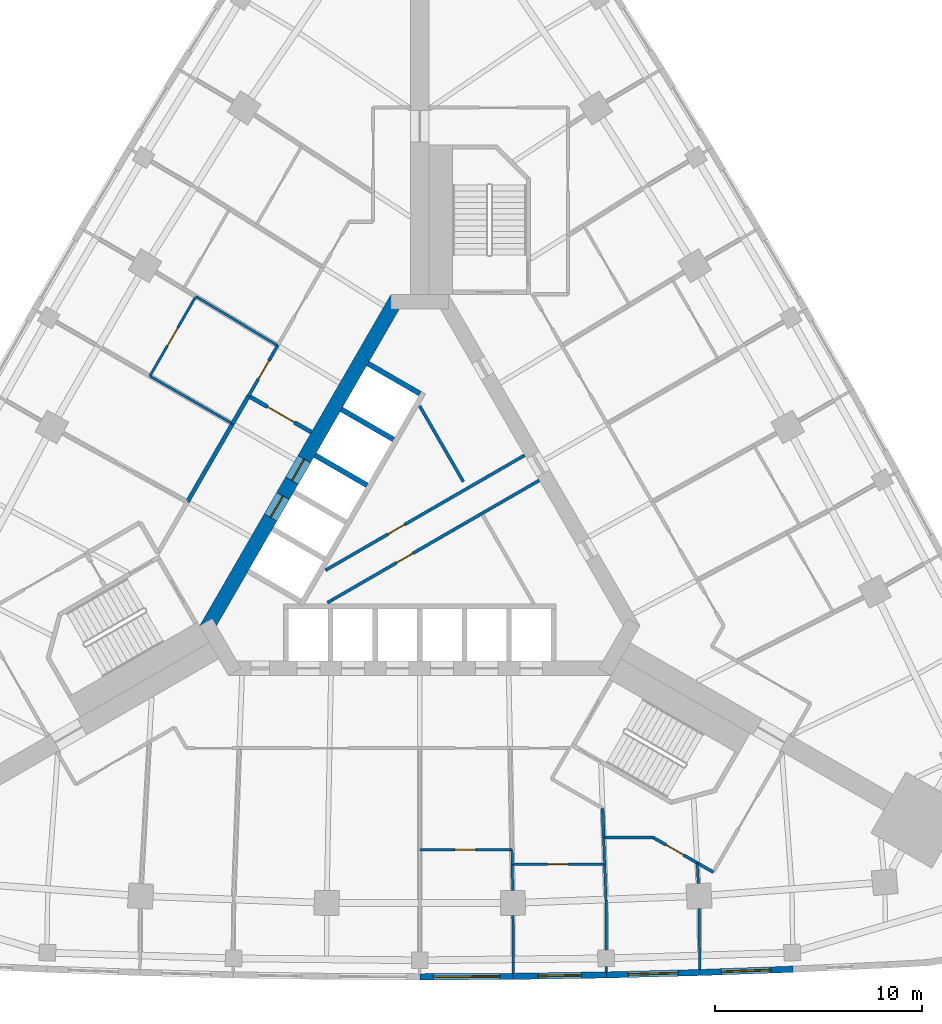
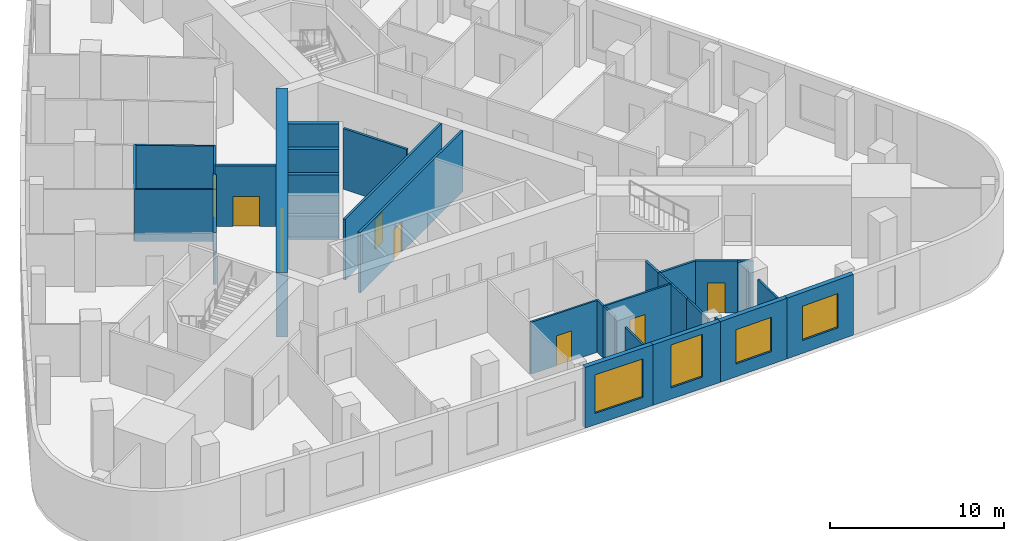
# One storey, part 6 of 11: 33 walls, 10 doors, 4 windows, 14 openings.
"""IFC4 building model written with IfcOpenShell, lengths in metres."""

from ifc_helpers import new_model, si_unit, direction, frame, frame_2d, origin, place, context, subcontext, project, spatial, rectangle, extrude, material, layer, layer_set, type_object, element, fill, save


model = new_model("IFC4")

# Units and contexts
model_context = context("Model", 3, precision=1e-05, world=origin(), true_north=direction((0.0, 1.0)))
body_context = subcontext(model_context, "Body", "Model", "MODEL_VIEW")
ifc_project = project(units=[si_unit("LENGTHUNIT", "METRE"), si_unit("AREAUNIT", "SQUARE_METRE"), si_unit("VOLUMEUNIT", "CUBIC_METRE"), si_unit("PLANEANGLEUNIT", "RADIAN"), si_unit("MASSUNIT", "GRAM", prefix="KILO")], contexts=[model_context])

# Site, building, storey
site_placement = place(None, origin())
site = spatial("IfcSite", under=ifc_project, at=site_placement, CompositionType="ELEMENT")
building_placement = place(site_placement, origin())
building = spatial("IfcBuilding", under=site, at=building_placement, Name="Noor Cloister Tower", CompositionType="ELEMENT")
storey_placement = place(building_placement, frame((0.0, 0.0, 6.0)))
storey = spatial("IfcBuildingStorey", under=building, at=storey_placement, Name="L01", CompositionType="ELEMENT", Elevation=6.0)

# Wall, opening, door
ifc_material_1 = material(Name="Concrete C30/37", Category="concrete")
ifc_layer_1 = layer(ifc_material_1, 0.14990234375)
ifc_layer_set_1 = layer_set([ifc_layer_1], Name="Core partition 150 C30/37")
wall_type_1 = type_object("IfcWallType", Name="Core partition 150 C30/37", PredefinedType="PARTITIONING", material=ifc_layer_set_1)
wall_1_placement = place(storey_placement, frame((-4.547607421875, -1.8505859375, 0.0), z_axis=(0.0, 0.0, 1.0), x_axis=(0.866023939251, 0.500002536638, 0.0)))
wall_1 = element("IfcWall", 1, at=wall_1_placement, inside=storey, type_object=wall_type_1, Name="Core room partition L01 1", PredefinedType="PARTITIONING", context=body_context, shape_type="SweptSolid", body=[
    extrude(rectangle(XDim=11.091796875, YDim=0.14990234375, at=frame_2d((5.5458984375, 0.0))), origin(), (0.0, 0.0, 1.0), 4.25),
])
opening_1_placement = place(wall_1_placement, frame((3.4970703125, 0.0, 0.0)))
opening_1 = element("IfcOpeningElement", 2, at=opening_1_placement, cuts=wall_1, Name="Opening L01-906", PredefinedType="OPENING", context=body_context, shape_type="SweptSolid", body=[
    extrude(rectangle(XDim=0.89990234375, YDim=2.10009765625, at=frame_2d((0.449951171875, 1.050048828125))), frame((0.0, 0.0849609375, 0.0), z_axis=(0.0, -1.0, 0.0), x_axis=(1.0, 0.0, 0.0)), (0.0, 0.0, 1.0), 0.169921875),
])
ifc_material_2 = material(Name="Steel", Category="steel")
door_type_1 = type_object("IfcDoorType", Name="Core door 900 x 2100 FD60", OperationType="SINGLE_SWING_LEFT", PredefinedType="DOOR", material=ifc_material_2)
door_1_placement = place(opening_1_placement, origin())
door_1 = element("IfcDoor", 3, at=door_1_placement, inside=storey, type_object=door_type_1, Name="Core door 6 L01", OperationType="SINGLE_SWING_RIGHT", OverallHeight=2.10009765625, OverallWidth=0.89990234375, PredefinedType="DOOR", context=body_context, shape_type="SweptSolid", body=[
    extrude(rectangle(XDim=0.89990234375, YDim=2.10009765625, at=frame_2d((0.449951171875, 1.050048828125))), frame((0.0, 0.02490234375, 0.0), z_axis=(0.0, -1.0, 0.0), x_axis=(1.0, 0.0, 0.0)), (0.0, 0.0, 1.0), 0.050048828125),
])
fill(opening_1, door_1)

# Wall
wall_2_placement = place(storey_placement, frame((2.099365234375, 2.420166015625, 0.0), z_axis=(0.0, 0.0, 1.0), x_axis=(-0.499998449073, 0.866026299211, 0.0)))
element("IfcWall", 4, at=wall_2_placement, inside=storey, type_object=wall_type_1, Name="Core room partition L01 2", PredefinedType="PARTITIONING", context=body_context, shape_type="SweptSolid", body=[
    extrude(rectangle(XDim=4.21142578125, YDim=0.14990234375, at=frame_2d((2.105712890625, 0.0))), origin(), (0.0, 0.0, 1.0), 4.25),
])

# Wall, opening, door
wall_3_placement = place(storey_placement, frame((-4.454345703125, -3.4130859375, 0.0), z_axis=(0.0, 0.0, 1.0), x_axis=(0.86603043987, 0.499991277142, 0.0)))
wall_3 = element("IfcWall", 5, at=wall_3_placement, inside=storey, type_object=wall_type_1, Name="Core room partition L01 3", PredefinedType="PARTITIONING", context=body_context, shape_type="SweptSolid", body=[
    extrude(rectangle(XDim=11.792236328125, YDim=0.14990234375, at=frame_2d((5.89599609375, 0.0))), origin(), (0.0, 0.0, 1.0), 4.25),
])
opening_2_placement = place(wall_3_placement, frame((3.84716796875, 0.0, 0.0)))
opening_2 = element("IfcOpeningElement", 6, at=opening_2_placement, cuts=wall_3, Name="Opening L01-904", PredefinedType="OPENING", context=body_context, shape_type="SweptSolid", body=[
    extrude(rectangle(XDim=0.89990234375, YDim=2.10009765625, at=frame_2d((0.449951171875, 1.050048828125))), frame((0.0, 0.0849609375, 0.0), z_axis=(0.0, -1.0, 0.0), x_axis=(1.0, 0.0, 0.0)), (0.0, 0.0, 1.0), 0.169921875),
])
ifc_material_3 = material(Name="Steel", Category="steel")
door_type_2 = type_object("IfcDoorType", Name="Core door 900 x 2100 FD120", OperationType="SINGLE_SWING_LEFT", PredefinedType="DOOR", material=ifc_material_3)
door_2_placement = place(opening_2_placement, origin())
door_2 = element("IfcDoor", 7, at=door_2_placement, inside=storey, type_object=door_type_2, Name="Core door 4 L01", OperationType="SINGLE_SWING_RIGHT", OverallHeight=2.10009765625, OverallWidth=0.89990234375, PredefinedType="DOOR", context=body_context, shape_type="SweptSolid", body=[
    extrude(rectangle(XDim=0.89990234375, YDim=2.10009765625, at=frame_2d((0.449951171875, 1.050048828125))), frame((0.0, 0.02490234375, 0.0), z_axis=(0.0, -1.0, 0.0), x_axis=(1.0, 0.0, 0.0)), (0.0, 0.0, 1.0), 0.050048828125),
])
fill(opening_2, door_2)

# Wall, openings, doors
ifc_material_4 = material(Name="Concrete C80/95", Category="concrete")
ifc_layer_2 = layer(ifc_material_4, 0.699951171875)
ifc_layer_set_2 = layer_set([ifc_layer_2], Name="Core wall 700 C80/95")
wall_type_2 = type_object("IfcWallType", Name="Core wall 700 C80/95", PredefinedType="SHEAR", material=ifc_layer_set_2)
wall_4_placement = place(storey_placement, frame((-1.08251953125, 11.281494140625, -0.25), z_axis=(0.0, 0.0, 1.0), x_axis=(-0.500001446645, -0.866024568562, 0.0)))
wall_4 = element("IfcWall", 8, at=wall_4_placement, inside=storey, type_object=wall_type_2, Name="Core wall L01 5", PredefinedType="SHEAR", context=body_context, shape_type="SweptSolid", body=[
    extrude(rectangle(XDim=18.45751953125, YDim=0.699951171875, at=frame_2d((9.228759765625, 0.0))), origin(), (0.0, 0.0, 1.0), 4.5),
])
opening_3_placement = place(wall_4_placement, frame((8.978759765625, 0.0, 0.25)))
opening_3 = element("IfcOpeningElement", 9, at=opening_3_placement, cuts=wall_4, Name="Opening L01-FF1", PredefinedType="OPENING", context=body_context, shape_type="SweptSolid", body=[
    extrude(rectangle(XDim=1.199951171875, YDim=2.10009765625, at=frame_2d((0.60009765625, 1.050048828125))), frame((0.0, 0.35986328125, 0.0), z_axis=(0.0, -1.0, 0.0), x_axis=(1.0, 0.0, 0.0)), (0.0, 0.0, 1.0), 0.719970703125),
])
opening_4_placement = place(wall_4_placement, frame((11.02880859375, 0.0, 0.25)))
opening_4 = element("IfcOpeningElement", 10, at=opening_4_placement, cuts=wall_4, Name="Opening L01-FF2", PredefinedType="OPENING", context=body_context, shape_type="SweptSolid", body=[
    extrude(rectangle(XDim=1.199951171875, YDim=2.10009765625, at=frame_2d((0.60009765625, 1.050048828125))), frame((0.0, 0.35986328125, 0.0), z_axis=(0.0, -1.0, 0.0), x_axis=(1.0, 0.0, 0.0)), (0.0, 0.0, 1.0), 0.719970703125),
])
ifc_material_5 = material(Name="Stainless steel", Category="steel")
door_type_3 = type_object("IfcDoorType", Name="Lift landing door 1200 x 2100", OperationType="DOUBLE_DOOR_SLIDING", PredefinedType="DOOR", material=ifc_material_5)
door_3_placement = place(opening_3_placement, origin())
door_3 = element("IfcDoor", 11, at=door_3_placement, inside=storey, type_object=door_type_3, Name="Landing door FF1 L01", OperationType="DOUBLE_DOOR_SLIDING", OverallHeight=2.10009765625, OverallWidth=1.199951171875, PredefinedType="DOOR", context=body_context, shape_type="SweptSolid", body=[
    extrude(rectangle(XDim=1.199951171875, YDim=2.10009765625, at=frame_2d((0.60009765625, 1.050048828125))), frame((0.0, 0.02490234375, 0.0), z_axis=(0.0, -1.0, 0.0), x_axis=(1.0, 0.0, 0.0)), (0.0, 0.0, 1.0), 0.050048828125),
])
fill(opening_3, door_3)
door_4_placement = place(opening_4_placement, origin())
door_4 = element("IfcDoor", 12, at=door_4_placement, inside=storey, type_object=door_type_3, Name="Landing door FF2 L01", OperationType="DOUBLE_DOOR_SLIDING", OverallHeight=2.10009765625, OverallWidth=1.199951171875, PredefinedType="DOOR", context=body_context, shape_type="SweptSolid", body=[
    extrude(rectangle(XDim=1.199951171875, YDim=2.10009765625, at=frame_2d((0.60009765625, 1.050048828125))), frame((0.0, 0.02490234375, 0.0), z_axis=(0.0, -1.0, 0.0), x_axis=(1.0, 0.0, 0.0)), (0.0, 0.0, 1.0), 0.050048828125),
])
fill(opening_4, door_4)

# Wall, opening, door
ifc_material_6 = material(Name="Plasterboard on steel studs", Category="steel")
ifc_layer_3 = layer(ifc_material_6, 0.14990234375)
ifc_layer_set_3 = layer_set([ifc_layer_3], Name="Corridor wall 150")
wall_type_3 = type_object("IfcWallType", Name="Corridor wall 150", PredefinedType="PARTITIONING", material=ifc_layer_set_3)
wall_5_placement = place(storey_placement, frame((13.376953125, -15.9619140625, 0.0), z_axis=(0.0, 0.0, 1.0), x_axis=(-0.866302389159, 0.499519940081, 0.0)))
wall_5 = element("IfcWall", 13, at=wall_5_placement, inside=storey, type_object=wall_type_3, Name="Partition", PredefinedType="PARTITIONING", context=body_context, shape_type="SweptSolid", body=[
    extrude(rectangle(XDim=2.47021484375, YDim=0.14990234375, at=frame_2d((1.235107421875, 0.0))), origin(), (0.0, 0.0, 1.0), 3.637939453125),
])
opening_5_placement = place(wall_5_placement, frame((0.75, 0.0, 0.0)))
opening_5 = element("IfcOpeningElement", 14, at=opening_5_placement, cuts=wall_5, Name="Opening L01-002", PredefinedType="OPENING", context=body_context, shape_type="SweptSolid", body=[
    extrude(rectangle(XDim=1.0, YDim=2.10009765625, at=frame_2d((0.5, 1.050048828125))), frame((0.0, 0.0849609375, 0.0), z_axis=(0.0, -1.0, 0.0), x_axis=(1.0, 0.0, 0.0)), (0.0, 0.0, 1.0), 0.169921875),
])
ifc_material_7 = material(Name="Timber door leaf", Category="wood")
door_type_4 = type_object("IfcDoorType", Name="Clinic room door 1000", OperationType="SINGLE_SWING_LEFT", PredefinedType="DOOR", material=ifc_material_7)
door_5_placement = place(opening_5_placement, origin())
door_5 = element("IfcDoor", 15, at=door_5_placement, inside=storey, type_object=door_type_4, Name="Door L01-002", OperationType="SINGLE_SWING_RIGHT", OverallHeight=2.10009765625, OverallWidth=1.0, PredefinedType="DOOR", context=body_context, shape_type="SweptSolid", body=[
    extrude(rectangle(XDim=1.0, YDim=2.10009765625, at=frame_2d((0.5, 1.050048828125))), frame((0.0, 0.02490234375, 0.0), z_axis=(0.0, -1.0, 0.0), x_axis=(1.0, 0.0, 0.0)), (0.0, 0.0, 1.0), 0.050048828125),
])
fill(opening_5, door_5)

# Walls
wall_6_placement = place(storey_placement, frame((11.237060546875, -14.72802734375, 0.0), z_axis=(0.0, 0.0, 1.0), x_axis=(-1.0, 0.0, 0.0)))
element("IfcWall", 16, at=wall_6_placement, inside=storey, type_object=wall_type_3, Name="Partition", PredefinedType="PARTITIONING", context=body_context, shape_type="SweptSolid", body=[
    extrude(rectangle(XDim=2.3720703125, YDim=0.14990234375, at=frame_2d((1.18603515625, 0.0))), origin(), (0.0, 0.0, 1.0), 3.637939453125),
])
wall_7_placement = place(storey_placement, frame((14.14697265625, -16.406982421875, 0.0), z_axis=(0.0, 0.0, 1.0), x_axis=(-0.866276218641, 0.499565324075, 0.0)))
element("IfcWall", 17, at=wall_7_placement, inside=storey, type_object=wall_type_3, Name="Partition", PredefinedType="PARTITIONING", context=body_context, shape_type="SweptSolid", body=[
    extrude(rectangle(XDim=0.896728515625, YDim=0.14990234375, at=frame_2d((0.4482421875, 0.0))), origin(), (0.0, 0.0, 1.0), 3.637939453125),
])
wall_8_placement = place(storey_placement, frame((8.864990234375, -14.72705078125, 0.0), z_axis=(0.0, 0.0, 1.0), x_axis=(-0.037173032443, 0.999308843981, 0.0)))
element("IfcWall", 18, at=wall_8_placement, inside=storey, type_object=wall_type_3, Name="Partition", PredefinedType="PARTITIONING", context=body_context, shape_type="SweptSolid", body=[
    extrude(rectangle(XDim=1.39892578125, YDim=0.14990234375, at=frame_2d((0.699462890625, 0.0))), origin(), (0.0, 0.0, 1.0), 3.637939453125),
])

# Wall, opening, door
wall_9_placement = place(storey_placement, frame((-8.256103515625, 6.55810546875, 0.0), z_axis=(0.0, 0.0, 1.0), x_axis=(0.500081734942, 0.86597820895, 0.0)))
wall_9 = element("IfcWall", 19, at=wall_9_placement, inside=storey, type_object=wall_type_3, Name="Partition", PredefinedType="PARTITIONING", context=body_context, shape_type="SweptSolid", body=[
    extrude(rectangle(XDim=2.8037109375, YDim=0.14990234375, at=frame_2d((1.40185546875, 0.0))), origin(), (0.0, 0.0, 1.0), 3.637939453125),
])
opening_6_placement = place(wall_9_placement, frame((0.949951171875, 0.0, 0.0)))
opening_6 = element("IfcOpeningElement", 20, at=opening_6_placement, cuts=wall_9, Name="Opening L01-019", PredefinedType="OPENING", context=body_context, shape_type="SweptSolid", body=[
    extrude(rectangle(XDim=1.0, YDim=2.10009765625, at=frame_2d((0.5, 1.050048828125))), frame((0.0, 0.0849609375, 0.0), z_axis=(0.0, -1.0, 0.0), x_axis=(1.0, 0.0, 0.0)), (0.0, 0.0, 1.0), 0.169921875),
])
door_6_placement = place(opening_6_placement, origin())
door_6 = element("IfcDoor", 21, at=door_6_placement, inside=storey, type_object=door_type_4, Name="Door L01-019", OperationType="SINGLE_SWING_RIGHT", OverallHeight=2.10009765625, OverallWidth=1.0, PredefinedType="DOOR", context=body_context, shape_type="SweptSolid", body=[
    extrude(rectangle(XDim=1.0, YDim=2.10009765625, at=frame_2d((0.5, 1.050048828125))), frame((0.0, 0.02490234375, 0.0), z_axis=(0.0, -1.0, 0.0), x_axis=(1.0, 0.0, 0.0)), (0.0, 0.0, 1.0), 0.050048828125),
])
fill(opening_6, door_6)

# Walls
ifc_material_8 = material(Name="Reinforced blockwork", Category="masonry")
ifc_layer_4 = layer(ifc_material_8, 0.199951171875)
ifc_layer_set_4 = layer_set([ifc_layer_4], Name="Fire rated block wall 200")
wall_type_4 = type_object("IfcWallType", Name="Fire rated block wall 200", PredefinedType="PARTITIONING", material=ifc_layer_set_4)
wall_10_placement = place(storey_placement, frame((-9.031005859375, 5.212890625, 0.0), z_axis=(0.0, 0.0, 1.0), x_axis=(-0.500044734646, -0.865999574684, 0.0)))
element("IfcWall", 22, at=wall_10_placement, inside=storey, type_object=wall_type_4, Name="Fire rated wall", PredefinedType="PARTITIONING", context=body_context, shape_type="SweptSolid", body=[
    extrude(rectangle(XDim=4.349609375, YDim=0.199951171875, at=frame_2d((2.1748046875, 0.0))), origin(), (0.0, 0.0, 1.0), 3.637939453125),
])
wall_11_placement = place(storey_placement, frame((-8.256103515625, 6.554931640625, 0.0), z_axis=(0.0, 0.0, 1.0), x_axis=(-0.500177701192, -0.865922783642, 0.0)))
element("IfcWall", 23, at=wall_11_placement, inside=storey, type_object=wall_type_4, Name="Fire rated wall", PredefinedType="PARTITIONING", context=body_context, shape_type="SweptSolid", body=[
    extrude(rectangle(XDim=1.54736328125, YDim=0.199951171875, at=frame_2d((0.773681640625, 0.0))), origin(), (0.0, 0.0, 1.0), 3.637939453125),
])

# Wall, opening, door
wall_12_placement = place(storey_placement, frame((-5.22607421875, 4.805908203125, 0.0), z_axis=(0.0, 0.0, 1.0), x_axis=(-0.865949687125, 0.500131122175, 0.0)))
wall_12 = element("IfcWall", 24, at=wall_12_placement, inside=storey, type_object=wall_type_4, Name="Fire rated wall", PredefinedType="PARTITIONING", context=body_context, shape_type="SweptSolid", body=[
    extrude(rectangle(XDim=3.4990234375, YDim=0.199951171875, at=frame_2d((1.74951171875, 0.0))), origin(), (0.0, 0.0, 1.0), 4.25),
])
opening_7_placement = place(wall_12_placement, frame((0.949951171875, 0.0, 0.0)))
opening_7 = element("IfcOpeningElement", 25, at=opening_7_placement, cuts=wall_12, Name="Opening L01-033", PredefinedType="OPENING", context=body_context, shape_type="SweptSolid", body=[
    extrude(rectangle(XDim=1.5, YDim=2.10009765625, at=frame_2d((0.75, 1.050048828125))), frame((0.0, 0.10986328125, 0.0), z_axis=(0.0, -1.0, 0.0), x_axis=(1.0, 0.0, 0.0)), (0.0, 0.0, 1.0), 0.219970703125),
])
ifc_material_9 = material(Name="Steel fire door", Category="steel")
door_type_5 = type_object("IfcDoorType", Name="Smoke barrier door FD60 1500", OperationType="DOUBLE_DOOR_SINGLE_SWING", PredefinedType="DOOR", material=ifc_material_9)
door_7_placement = place(opening_7_placement, origin())
door_7 = element("IfcDoor", 26, at=door_7_placement, inside=storey, type_object=door_type_5, Name="Door L01-033", OperationType="DOUBLE_DOOR_SINGLE_SWING", OverallHeight=2.10009765625, OverallWidth=1.5, PredefinedType="DOOR", context=body_context, shape_type="SweptSolid", body=[
    extrude(rectangle(XDim=1.5, YDim=2.10009765625, at=frame_2d((0.75, 1.050048828125))), frame((0.0, 0.02490234375, 0.0), z_axis=(0.0, -1.0, 0.0), x_axis=(1.0, 0.0, 0.0)), (0.0, 0.0, 1.0), 0.050048828125),
])
fill(opening_7, door_7)

# Wall, opening, window
ifc_material_10 = material(Name="Limestone", Category="masonry")
ifc_layer_5 = layer(ifc_material_10, 0.300048828125)
ifc_layer_set_5 = layer_set([ifc_layer_5], Name="Limestone panel wall 300")
wall_type_5 = type_object("IfcWallType", Name="Limestone panel wall 300", PredefinedType="NOTDEFINED", material=ifc_layer_set_5)
wall_13_placement = place(storey_placement, frame((4.4970703125, -21.43408203125, 0.0), z_axis=(0.0, 0.0, 1.0), x_axis=(-0.999986693461, -0.005158769258, 0.0)))
wall_13 = element("IfcWall", 27, at=wall_13_placement, inside=storey, type_object=wall_type_5, Name="Limestone wall L01 S 6", PredefinedType="NOTDEFINED", context=body_context, shape_type="SweptSolid", body=[
    extrude(rectangle(XDim=4.495849609375, YDim=0.300048828125, at=frame_2d((2.248046875, 0.0))), origin(), (0.0, 0.0, 1.0), 4.25),
])
opening_8_placement = place(wall_13_placement, frame((0.64794921875, 0.0, 0.800048828125)))
opening_8 = element("IfcOpeningElement", 28, at=opening_8_placement, cuts=wall_13, Name="Opening L01-W16", PredefinedType="OPENING", context=body_context, shape_type="SweptSolid", body=[
    extrude(rectangle(XDim=3.199951171875, YDim=2.699951171875, at=frame_2d((1.60009765625, 1.35009765625))), frame((0.0, 0.16015625, 0.0), z_axis=(0.0, -1.0, 0.0), x_axis=(1.0, 0.0, 0.0)), (0.0, 0.0, 1.0), 0.320068359375),
])
ifc_material_11 = material(Name="Aluminium 6063-T6 anodised", Category="aluminium")
window_type_1 = type_object("IfcWindowType", Name="Waiting room window 3200 x 2700", PartitioningType="TRIPLE_PANEL_VERTICAL", PredefinedType="WINDOW", material=ifc_material_11)
window_1_placement = place(opening_8_placement, origin())
window_1 = element("IfcWindow", 29, at=window_1_placement, inside=storey, type_object=window_type_1, Name="Window L01 16", OverallHeight=2.699951171875, OverallWidth=3.199951171875, PartitioningType="TRIPLE_PANEL_VERTICAL", PredefinedType="WINDOW", context=body_context, shape_type="SweptSolid", body=[
    extrude(rectangle(XDim=3.199951171875, YDim=2.699951171875, at=frame_2d((1.60009765625, 1.35009765625))), frame((0.0, 0.030029296875, 0.0), z_axis=(0.0, -1.0, 0.0), x_axis=(1.0, 0.0, 0.0)), (0.0, 0.0, 1.0), 0.06005859375),
])
fill(opening_8, window_1)

wall_14_placement = place(storey_placement, frame((8.9951171875, -21.364990234375, 0.0), z_axis=(0.0, 0.0, 1.0), x_axis=(-0.999881921814, -0.015366926462, 0.0)))
wall_14 = element("IfcWall", 30, at=wall_14_placement, inside=storey, type_object=wall_type_5, Name="Limestone wall L01 S 7", PredefinedType="NOTDEFINED", context=body_context, shape_type="SweptSolid", body=[
    extrude(rectangle(XDim=4.49609375, YDim=0.300048828125, at=frame_2d((2.248046875, 0.0))), origin(), (0.0, 0.0, 1.0), 4.25),
])
opening_9_placement = place(wall_14_placement, frame((1.197998046875, 0.0, 0.800048828125)))
opening_9 = element("IfcOpeningElement", 31, at=opening_9_placement, cuts=wall_14, Name="Opening L01-W17", PredefinedType="OPENING", context=body_context, shape_type="SweptSolid", body=[
    extrude(rectangle(XDim=2.10009765625, YDim=3.0, at=frame_2d((1.050048828125, 1.5))), frame((0.0, 0.16015625, 0.0), z_axis=(0.0, -1.0, 0.0), x_axis=(1.0, 0.0, 0.0)), (0.0, 0.0, 1.0), 0.320068359375),
])
ifc_material_12 = material(Name="Aluminium 6063-T6 anodised", Category="aluminium")
window_type_2 = type_object("IfcWindowType", Name="Therapy window 2100 x 3000", PartitioningType="DOUBLE_PANEL_HORIZONTAL", PredefinedType="WINDOW", material=ifc_material_12)
window_2_placement = place(opening_9_placement, origin())
window_2 = element("IfcWindow", 32, at=window_2_placement, inside=storey, type_object=window_type_2, Name="Window L01 17", OverallHeight=3.0, OverallWidth=2.10009765625, PartitioningType="DOUBLE_PANEL_HORIZONTAL", PredefinedType="WINDOW", context=body_context, shape_type="SweptSolid", body=[
    extrude(rectangle(XDim=2.10009765625, YDim=3.0, at=frame_2d((1.050048828125, 1.5))), frame((0.0, 0.030029296875, 0.0), z_axis=(0.0, -1.0, 0.0), x_axis=(1.0, 0.0, 0.0)), (0.0, 0.0, 1.0), 0.06005859375),
])
fill(opening_9, window_2)

wall_15_placement = place(storey_placement, frame((13.491943359375, -21.24951171875, 0.0), z_axis=(0.0, 0.0, 1.0), x_axis=(-0.999671466587, -0.025631209312, 0.0)))
wall_15 = element("IfcWall", 33, at=wall_15_placement, inside=storey, type_object=wall_type_5, Name="Limestone wall L01 S 8", PredefinedType="NOTDEFINED", context=body_context, shape_type="SweptSolid", body=[
    extrude(rectangle(XDim=4.495849609375, YDim=0.300048828125, at=frame_2d((2.248046875, 0.0))), origin(), (0.0, 0.0, 1.0), 4.25),
])
opening_10_placement = place(wall_15_placement, frame((1.048095703125, 0.0, 0.89990234375)))
opening_10 = element("IfcOpeningElement", 34, at=opening_10_placement, cuts=wall_15, Name="Opening L01-W18", PredefinedType="OPENING", context=body_context, shape_type="SweptSolid", body=[
    extrude(rectangle(XDim=2.39990234375, YDim=2.39990234375, at=frame_2d((1.199951171875, 1.199951171875))), frame((0.0, 0.16015625, 0.0), z_axis=(0.0, -1.0, 0.0), x_axis=(1.0, 0.0, 0.0)), (0.0, 0.0, 1.0), 0.320068359375),
])
ifc_material_13 = material(Name="Aluminium 6063-T6 anodised", Category="aluminium")
window_type_3 = type_object("IfcWindowType", Name="Clinic window 2400 x 2400", PartitioningType="DOUBLE_PANEL_VERTICAL", PredefinedType="WINDOW", material=ifc_material_13)
window_3_placement = place(opening_10_placement, origin())
window_3 = element("IfcWindow", 35, at=window_3_placement, inside=storey, type_object=window_type_3, Name="Window L01 18", OverallHeight=2.39990234375, OverallWidth=2.39990234375, PartitioningType="DOUBLE_PANEL_VERTICAL", PredefinedType="WINDOW", context=body_context, shape_type="SweptSolid", body=[
    extrude(rectangle(XDim=2.39990234375, YDim=2.39990234375, at=frame_2d((1.199951171875, 1.199951171875))), frame((0.0, 0.030029296875, 0.0), z_axis=(0.0, -1.0, 0.0), x_axis=(1.0, 0.0, 0.0)), (0.0, 0.0, 1.0), 0.06005859375),
])
fill(opening_10, window_3)

wall_16_placement = place(storey_placement, frame((17.987548828125, -21.087890625, 0.0), z_axis=(0.0, 0.0, 1.0), x_axis=(-0.999355640029, -0.035892962294, 0.0)))
wall_16 = element("IfcWall", 36, at=wall_16_placement, inside=storey, type_object=wall_type_5, Name="Limestone wall L01 S 9", PredefinedType="NOTDEFINED", context=body_context, shape_type="SweptSolid", body=[
    extrude(rectangle(XDim=4.49609375, YDim=0.300048828125, at=frame_2d((2.248046875, 0.0))), origin(), (0.0, 0.0, 1.0), 4.25),
])
opening_11_placement = place(wall_16_placement, frame((1.048095703125, 0.0, 0.89990234375)))
opening_11 = element("IfcOpeningElement", 37, at=opening_11_placement, cuts=wall_16, Name="Opening L01-W19", PredefinedType="OPENING", context=body_context, shape_type="SweptSolid", body=[
    extrude(rectangle(XDim=2.39990234375, YDim=2.39990234375, at=frame_2d((1.199951171875, 1.199951171875))), frame((0.0, 0.16015625, 0.0), z_axis=(0.0, -1.0, 0.0), x_axis=(1.0, 0.0, 0.0)), (0.0, 0.0, 1.0), 0.320068359375),
])
window_4_placement = place(opening_11_placement, origin())
window_4 = element("IfcWindow", 38, at=window_4_placement, inside=storey, type_object=window_type_3, Name="Window L01 19", OverallHeight=2.39990234375, OverallWidth=2.39990234375, PartitioningType="DOUBLE_PANEL_VERTICAL", PredefinedType="WINDOW", context=body_context, shape_type="SweptSolid", body=[
    extrude(rectangle(XDim=2.39990234375, YDim=2.39990234375, at=frame_2d((1.199951171875, 1.199951171875))), frame((0.0, 0.030029296875, 0.0), z_axis=(0.0, -1.0, 0.0), x_axis=(1.0, 0.0, 0.0)), (0.0, 0.0, 1.0), 0.06005859375),
])
fill(opening_11, window_4)

# Walls
ifc_material_14 = material(Name="Plasterboard on steel studs", Category="steel")
ifc_layer_6 = layer(ifc_material_14, 0.1201171875)
ifc_layer_set_6 = layer_set([ifc_layer_6], Name="Partition wall 120")
wall_type_6 = type_object("IfcWallType", Name="Partition wall 120", PredefinedType="PARTITIONING", material=ifc_layer_set_6)
wall_17_placement = place(storey_placement, frame((8.991943359375, -20.1650390625, 0.0), z_axis=(0.0, 0.0, 1.0), x_axis=(-0.005803200997, 0.999983161287, 0.0)))
element("IfcWall", 39, at=wall_17_placement, inside=storey, type_object=wall_type_6, Name="Partition", PredefinedType="PARTITIONING", context=body_context, shape_type="SweptSolid", body=[
    extrude(rectangle(XDim=2.39794921875, YDim=0.1201171875, at=frame_2d((1.198974609375, 0.0))), origin(), (0.0, 0.0, 1.0), 3.637939453125),
])
wall_18_placement = place(storey_placement, frame((8.97802734375, -17.76708984375, 0.0), z_axis=(0.0, 0.0, 1.0), x_axis=(-0.037229075286, 0.999306757684, 0.0)))
element("IfcWall", 40, at=wall_18_placement, inside=storey, type_object=wall_type_6, Name="Partition", PredefinedType="PARTITIONING", context=body_context, shape_type="SweptSolid", body=[
    extrude(rectangle(XDim=1.744384765625, YDim=0.1201171875, at=frame_2d((0.8720703125, 0.0))), origin(), (0.0, 0.0, 1.0), 3.637939453125),
])
wall_19_placement = place(storey_placement, frame((8.998046875, -21.215087890625, 0.0), z_axis=(0.0, 0.0, 1.0), x_axis=(-0.007812261592, 0.999969483819, 0.0)))
element("IfcWall", 41, at=wall_19_placement, inside=storey, type_object=wall_type_6, Name="Partition", PredefinedType="PARTITIONING", context=body_context, shape_type="SweptSolid", body=[
    extrude(rectangle(XDim=0.25, YDim=0.1201171875, at=frame_2d((0.125, 0.0))), origin(), (0.0, 0.0, 1.0), 4.25),
])
wall_20_placement = place(storey_placement, frame((4.455078125, -16.02392578125, 0.0), z_axis=(0.0, 0.0, 1.0), x_axis=(0.018879100933, -0.999821773892, 0.0)))
element("IfcWall", 42, at=wall_20_placement, inside=storey, type_object=wall_type_6, Name="Partition", PredefinedType="PARTITIONING", context=body_context, shape_type="SweptSolid", body=[
    extrude(rectangle(XDim=1.267333984375, YDim=0.1201171875, at=frame_2d((0.6337890625, 0.0))), origin(), (0.0, 0.0, 1.0), 3.637939453125),
])
wall_21_placement = place(storey_placement, frame((4.491943359375, -18.491943359375, 0.0), z_axis=(0.0, 0.0, 1.0), x_axis=(0.002535843543, -0.999996784744, 0.0)))
element("IfcWall", 43, at=wall_21_placement, inside=storey, type_object=wall_type_6, Name="Partition", PredefinedType="PARTITIONING", context=body_context, shape_type="SweptSolid", body=[
    extrude(rectangle(XDim=2.7919921875, YDim=0.1201171875, at=frame_2d((1.39599609375, 0.0))), origin(), (0.0, 0.0, 1.0), 3.633056640625),
])

# Wall, opening, door
wall_22_placement = place(storey_placement, frame((8.9130859375, -16.028076171875, 0.0), z_axis=(0.0, 0.0, 1.0), x_axis=(-1.0, 0.0, 0.0)))
wall_22 = element("IfcWall", 44, at=wall_22_placement, inside=storey, type_object=wall_type_6, Name="Partition", PredefinedType="PARTITIONING", context=body_context, shape_type="SweptSolid", body=[
    extrude(rectangle(XDim=4.4580078125, YDim=0.1201171875, at=frame_2d((2.22900390625, 0.0))), origin(), (0.0, 0.0, 1.0), 3.637939453125),
])
opening_12_placement = place(wall_22_placement, frame((1.75, 0.0, 0.0)))
opening_12 = element("IfcOpeningElement", 45, at=opening_12_placement, cuts=wall_22, Name="Opening L01-001", PredefinedType="OPENING", context=body_context, shape_type="SweptSolid", body=[
    extrude(rectangle(XDim=1.0, YDim=2.10009765625, at=frame_2d((0.5, 1.050048828125))), frame((0.0, 0.070068359375, 0.0), z_axis=(0.0, -1.0, 0.0), x_axis=(1.0, 0.0, 0.0)), (0.0, 0.0, 1.0), 0.14013671875),
])
door_8_placement = place(opening_12_placement, origin())
door_8 = element("IfcDoor", 46, at=door_8_placement, inside=storey, type_object=door_type_4, Name="Door L01-001", OperationType="SINGLE_SWING_RIGHT", OverallHeight=2.10009765625, OverallWidth=1.0, PredefinedType="DOOR", context=body_context, shape_type="SweptSolid", body=[
    extrude(rectangle(XDim=1.0, YDim=2.10009765625, at=frame_2d((0.5, 1.050048828125))), frame((0.0, 0.02490234375, 0.0), z_axis=(0.0, -1.0, 0.0), x_axis=(1.0, 0.0, 0.0)), (0.0, 0.0, 1.0), 0.050048828125),
])
fill(opening_12, door_8)

# Walls
wall_23_placement = place(storey_placement, frame((13.428955078125, -16.958984375, 0.0), z_axis=(0.0, 0.0, 1.0), x_axis=(-0.055063393043, 0.998482860517, 0.0)))
element("IfcWall", 47, at=wall_23_placement, inside=storey, type_object=wall_type_6, Name="Partition", PredefinedType="PARTITIONING", context=body_context, shape_type="SweptSolid", body=[
    extrude(rectangle(XDim=0.99755859375, YDim=0.1201171875, at=frame_2d((0.498779296875, 0.0))), origin(), (0.0, 0.0, 1.0), 3.637939453125),
])
wall_24_placement = place(storey_placement, frame((13.4951171875, -21.09912109375, 0.0), z_axis=(0.0, 0.0, 1.0), x_axis=(-0.009216581037, 0.999957526415, 0.0)))
element("IfcWall", 48, at=wall_24_placement, inside=storey, type_object=wall_type_6, Name="Partition", PredefinedType="PARTITIONING", context=body_context, shape_type="SweptSolid", body=[
    extrude(rectangle(XDim=2.9404296875, YDim=0.1201171875, at=frame_2d((1.47021484375, 0.0))), origin(), (0.0, 0.0, 1.0), 3.633056640625),
])
wall_25_placement = place(storey_placement, frame((8.864990234375, -14.72412109375, 0.0), z_axis=(0.0, 0.0, 1.0), x_axis=(0.03688700211, -0.999319442959, 0.0)))
element("IfcWall", 49, at=wall_25_placement, inside=storey, type_object=wall_type_6, Name="Partition", PredefinedType="PARTITIONING", context=body_context, shape_type="SweptSolid", body=[
    extrude(rectangle(XDim=1.303955078125, YDim=0.1201171875, at=frame_2d((0.65185546875, 0.0))), origin(), (0.0, 0.0, 1.0), 3.637939453125),
])

# Wall, opening, door
wall_26_placement = place(storey_placement, frame((4.44189453125, -15.327880859375, 0.0), z_axis=(0.0, 0.0, 1.0), x_axis=(-1.0, 0.0, 0.0)))
wall_26 = element("IfcWall", 50, at=wall_26_placement, inside=storey, type_object=wall_type_6, Name="Partition", PredefinedType="PARTITIONING", context=body_context, shape_type="SweptSolid", body=[
    extrude(rectangle(XDim=4.44189453125, YDim=0.1201171875, at=frame_2d((2.220947265625, 0.0))), origin(), (0.0, 0.0, 1.0), 3.637939453125),
])
opening_13_placement = place(wall_26_placement, frame((1.75, 0.0, 0.0)))
opening_13 = element("IfcOpeningElement", 51, at=opening_13_placement, cuts=wall_26, Name="Opening L01-003", PredefinedType="OPENING", context=body_context, shape_type="SweptSolid", body=[
    extrude(rectangle(XDim=1.0, YDim=2.10009765625, at=frame_2d((0.5, 1.050048828125))), frame((0.0, 0.070068359375, 0.0), z_axis=(0.0, -1.0, 0.0), x_axis=(1.0, 0.0, 0.0)), (0.0, 0.0, 1.0), 0.14013671875),
])
door_9_placement = place(opening_13_placement, origin())
door_9 = element("IfcDoor", 52, at=door_9_placement, inside=storey, type_object=door_type_4, Name="Door L01-003", OperationType="SINGLE_SWING_RIGHT", OverallHeight=2.10009765625, OverallWidth=1.0, PredefinedType="DOOR", context=body_context, shape_type="SweptSolid", body=[
    extrude(rectangle(XDim=1.0, YDim=2.10009765625, at=frame_2d((0.5, 1.050048828125))), frame((0.0, 0.02490234375, 0.0), z_axis=(0.0, -1.0, 0.0), x_axis=(1.0, 0.0, 0.0)), (0.0, 0.0, 1.0), 0.050048828125),
])
fill(opening_13, door_9)

# Walls
wall_27_placement = place(storey_placement, frame((4.455078125, -16.027099609375, 0.0), z_axis=(0.0, 0.0, 1.0), x_axis=(-0.01874670497, 0.999824265085, 0.0)))
element("IfcWall", 53, at=wall_27_placement, inside=storey, type_object=wall_type_6, Name="Partition", PredefinedType="PARTITIONING", context=body_context, shape_type="SweptSolid", body=[
    extrude(rectangle(XDim=0.703369140625, YDim=0.1201171875, at=frame_2d((0.3515625, 0.0))), origin(), (0.0, 0.0, 1.0), 3.637939453125),
])
wall_28_placement = place(storey_placement, frame((-9.031982421875, 5.215087890625, 0.0), z_axis=(0.0, 0.0, 1.0), x_axis=(-0.866130767322, 0.499817460578, 0.0)))
element("IfcWall", 54, at=wall_28_placement, inside=storey, type_object=wall_type_6, Name="Partition", PredefinedType="PARTITIONING", context=body_context, shape_type="SweptSolid", body=[
    extrude(rectangle(XDim=4.597412109375, YDim=0.1201171875, at=frame_2d((2.298828125, 0.0))), origin(), (0.0, 0.0, 1.0), 3.637939453125),
])

# Wall, opening, door
wall_29_placement = place(storey_placement, frame((-10.797119140625, 11.35498046875, 0.0), z_axis=(0.0, 0.0, 1.0), x_axis=(-0.500117989508, -0.865957271793, 0.0)))
wall_29 = element("IfcWall", 55, at=wall_29_placement, inside=storey, type_object=wall_type_6, Name="Partition", PredefinedType="PARTITIONING", context=body_context, shape_type="SweptSolid", body=[
    extrude(rectangle(XDim=4.4345703125, YDim=0.1201171875, at=frame_2d((2.21728515625, 0.0))), origin(), (0.0, 0.0, 1.0), 3.637939453125),
])
opening_14_placement = place(wall_29_placement, frame((1.75, 0.0, 0.0)))
opening_14 = element("IfcOpeningElement", 56, at=opening_14_placement, cuts=wall_29, Name="Opening L01-021", PredefinedType="OPENING", context=body_context, shape_type="SweptSolid", body=[
    extrude(rectangle(XDim=1.0, YDim=2.10009765625, at=frame_2d((0.5, 1.050048828125))), frame((0.0, 0.070068359375, 0.0), z_axis=(0.0, -1.0, 0.0), x_axis=(1.0, 0.0, 0.0)), (0.0, 0.0, 1.0), 0.14013671875),
])
door_10_placement = place(opening_14_placement, origin())
door_10 = element("IfcDoor", 57, at=door_10_placement, inside=storey, type_object=door_type_4, Name="Door L01-021", OperationType="SINGLE_SWING_LEFT", OverallHeight=2.10009765625, OverallWidth=1.0, PredefinedType="DOOR", context=body_context, shape_type="SweptSolid", body=[
    extrude(rectangle(XDim=1.0, YDim=2.10009765625, at=frame_2d((0.5, 1.050048828125))), frame((0.0, 0.02490234375, 0.0), z_axis=(0.0, -1.0, 0.0), x_axis=(1.0, 0.0, 0.0)), (0.0, 0.0, 1.0), 0.050048828125),
])
fill(opening_14, door_10)

# Walls
wall_30_placement = place(storey_placement, frame((-6.85693359375, 8.98291015625, 0.0), z_axis=(0.0, 0.0, 1.0), x_axis=(-0.856751730158, 0.515729069251, 0.0)))
element("IfcWall", 58, at=wall_30_placement, inside=storey, type_object=wall_type_6, Name="Partition", PredefinedType="PARTITIONING", context=body_context, shape_type="SweptSolid", body=[
    extrude(rectangle(XDim=4.59765625, YDim=0.1201171875, at=frame_2d((2.298828125, 0.0))), origin(), (0.0, 0.0, 1.0), 3.637939453125),
])
ifc_material_15 = material(Name="Concrete C80/95", Category="concrete")
ifc_layer_7 = layer(ifc_material_15, 0.25)
ifc_layer_set_7 = layer_set([ifc_layer_7], Name="Shaft wall 250 C80/95")
wall_type_7 = type_object("IfcWallType", Name="Shaft wall 250 C80/95", PredefinedType="PARTITIONING", material=ifc_layer_set_7)
wall_31_placement = place(storey_placement, frame((-2.50634765625, 8.115478515625, -0.25), z_axis=(0.0, 0.0, 1.0), x_axis=(0.865996321171, -0.50005036918, 0.0)))
element("IfcWall", 59, at=wall_31_placement, inside=storey, type_object=wall_type_7, Name="Lift shaft wall L01 NW 1", PredefinedType="PARTITIONING", context=body_context, shape_type="SweptSolid", body=[
    extrude(rectangle(XDim=2.900146484375, YDim=0.25, at=frame_2d((1.4501953125, 0.0))), origin(), (0.0, 0.0, 1.0), 4.5),
])
for number, where, z_axis, x_axis, name in (
    (60, (-3.78125, 5.906982421875, -0.25), (0.0, 0.0, 1.0), (0.866032775405, -0.499987231761, 0.0), "Lift shaft wall L01 NW 2"),
    (61, (-5.056396484375, 3.69873046875, -0.25), (0.0, 0.0, 1.0), (0.866032775405, -0.499987231761, 0.0), "Lift shaft wall L01 NW 3"),
):
    element("IfcWall", number, at=place(storey_placement, frame(where, z_axis=z_axis, x_axis=x_axis)), inside=storey, type_object=wall_type_7, Name=name, PredefinedType="PARTITIONING", context=body_context, shape_type="SweptSolid", body=[
        extrude(rectangle(XDim=2.89990234375, YDim=0.25, at=frame_2d((1.449951171875, 0.0))), origin(), (0.0, 0.0, 1.0), 4.5),
    ])

save(model, "model.ifc")
